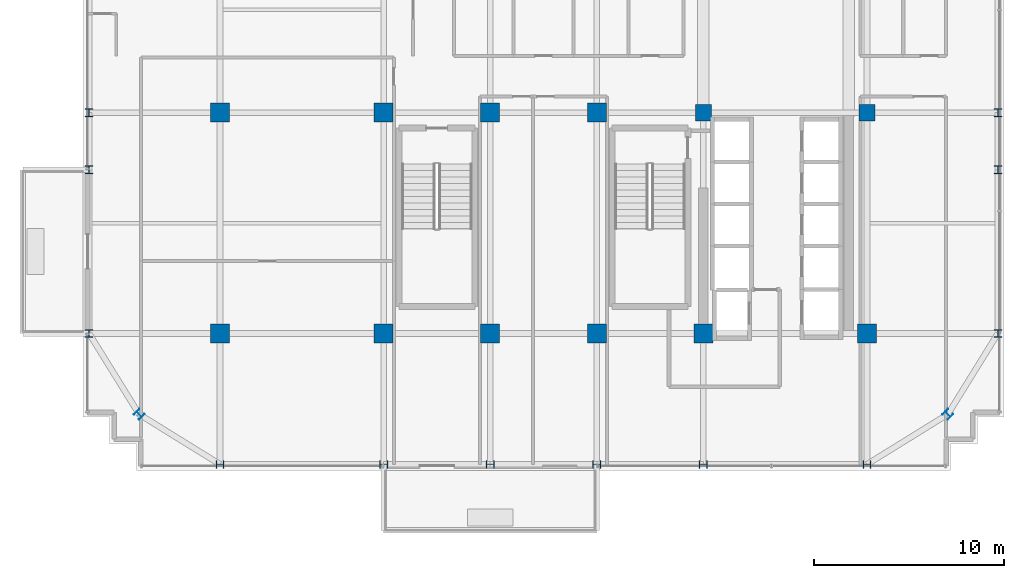
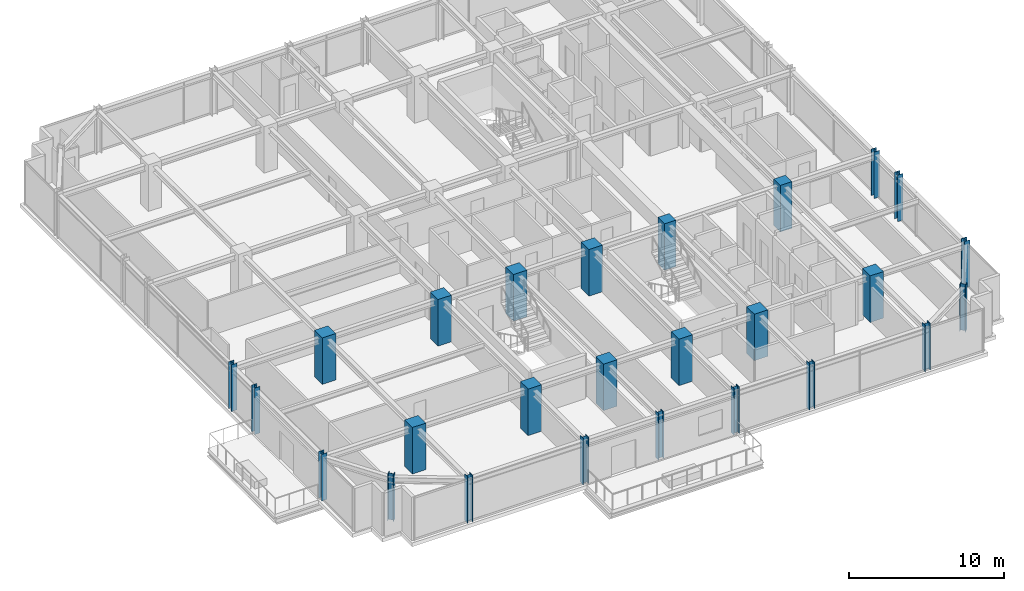
# One storey, part 1 of 32: 26 columns.
"""IFC4 building model written with IfcOpenShell, lengths in metres."""

import ifcopenshell
import ifcopenshell.guid

model = None  # the IFC model being written
_history = None  # IfcOwnerHistory: only IFC2X3 demands one
_inside = {}  # id of a spatial element -> (the spatial element, [elements in it])
_under = {}  # id of a project, library or spatial element -> (it, [spatial elements below it])
_declared = {}  # id of a project -> (the project, [libraries it declares])
_typed = {}  # id of a type object -> (the type object, [elements of that type])
_made_of = {}  # id of a material, layer set ... -> (it, [elements and type objects made of it])


def new_model(schema):
    """Start an empty IFC model of exactly this schema.

    Asked for "IFC4X3", IfcOpenShell would pick the latest addendum, in which some entities
    have other attributes; the version numbers below select the first issue.
    IFC2X3 requires an IfcOwnerHistory on every rooted entity: one is made here for all.
    """
    global model, _history
    if schema == "IFC4X3":
        model = ifcopenshell.file(schema_version=(4, 3, 0, 0))
    else:
        model = ifcopenshell.file(schema=schema)
    _inside.clear()
    _under.clear()
    _declared.clear()
    _typed.clear()
    _made_of.clear()
    _history = None
    if model.schema == "IFC2X3":
        org = make("IfcOrganization", Name="unknown")
        user = make(
            "IfcPersonAndOrganization",
            ThePerson=make("IfcPerson", FamilyName="unknown"),
            TheOrganization=org,
        )
        app = make(
            "IfcApplication",
            ApplicationDeveloper=org,
            Version="unknown",
            ApplicationFullName="unknown",
            ApplicationIdentifier="unknown",
        )
        _history = make(
            "IfcOwnerHistory",
            OwningUser=user,
            OwningApplication=app,
            ChangeAction="ADDED",
            CreationDate=0,
        )
    return model


def make(cls, **values):
    """One entity of the class cls with the attributes given. An attribute that is None is left unset."""
    return model.create_entity(
        cls, **{name: value for name, value in values.items() if value is not None}
    )


def rooted(cls, **values):
    """An entity with a GlobalId (a new one), such as an element, a storey or a relation."""
    return make(cls, GlobalId=ifcopenshell.guid.new(), OwnerHistory=_history, **values)


def si_unit(unit_type, name, prefix=None):
    """IfcSIUnit, for example si_unit("LENGTHUNIT", "METRE", prefix="MILLI")."""
    return make("IfcSIUnit", UnitType=unit_type, Prefix=prefix, Name=name)


def assignment(units):
    """IfcUnitAssignment: the units of a project."""
    return None if units is None else make("IfcUnitAssignment", Units=units)


def point(xyz):
    """IfcCartesianPoint."""
    return None if xyz is None else make("IfcCartesianPoint", Coordinates=xyz)


def direction(xyz):
    """IfcDirection."""
    return None if xyz is None else make("IfcDirection", DirectionRatios=xyz)


def frame(location, z_axis=None, x_axis=None):
    """IfcAxis2Placement3D, a coordinate frame: its origin and axes. An axis left out is left unset."""
    return make(
        "IfcAxis2Placement3D",
        Location=point(location),
        Axis=direction(z_axis),
        RefDirection=direction(x_axis),
    )


def frame_2d(location, x_axis=None):
    """IfcAxis2Placement2D, a coordinate frame in the plane: its origin and x axis."""
    return make(
        "IfcAxis2Placement2D", Location=point(location), RefDirection=direction(x_axis)
    )


def origin():
    """The frame at (0, 0, 0) with its axes left unset."""
    return frame((0.0, 0.0, 0.0))


def origin_2d():
    """The frame at (0, 0) in the plane with its x axis left unset."""
    return frame_2d((0.0, 0.0))


def place(relative_to, where):
    """IfcLocalPlacement: puts the frame where relative to a parent placement (None: the world)."""
    return make(
        "IfcLocalPlacement", PlacementRelTo=relative_to, RelativePlacement=where
    )


def context(
    kind, dimensions, precision=None, world=None, true_north=None, identifier=None
):
    """IfcGeometricRepresentationContext, for example the 3D "Model" context."""
    return make(
        "IfcGeometricRepresentationContext",
        ContextIdentifier=identifier,
        ContextType=kind,
        CoordinateSpaceDimension=dimensions,
        Precision=precision,
        WorldCoordinateSystem=world,
        TrueNorth=true_north,
    )


def subcontext(parent, identifier, kind, view, scale=None):
    """IfcGeometricRepresentationSubContext, for example "Body" below "Model"."""
    return make(
        "IfcGeometricRepresentationSubContext",
        ContextIdentifier=identifier,
        ContextType=kind,
        ParentContext=parent,
        TargetScale=scale,
        TargetView=view,
    )


def project(units=None, contexts=None):
    """IfcProject with its units and contexts."""
    return rooted(
        "IfcProject",
        Name="project",
        RepresentationContexts=contexts,
        UnitsInContext=assignment(units),
    )


def spatial(cls, under=None, at=None, **own):
    """A site, building, storey or space (cls), placed at a placement, below another one or the project."""
    s = rooted(cls, ObjectPlacement=at, **own)
    if under is not None:
        _under.setdefault(under.id(), (under, []))[1].append(s)
    return s


def profile(cls, at=None, kind="AREA", **sizes):
    """A parametric profile (cls). Its sizes go by their IFC names, for example OverallWidth=200.0."""
    return make(cls, ProfileType=kind, Position=at, **sizes)


def rectangle(**sizes):
    """IfcRectangleProfileDef."""
    return profile("IfcRectangleProfileDef", **sizes)


def i_section(**sizes):
    """IfcIShapeProfileDef."""
    return profile("IfcIShapeProfileDef", **sizes)


def extrude(swept, where, along, depth):
    """IfcExtrudedAreaSolid: the profile swept, set in the frame where, extruded along a direction by depth."""
    return make(
        "IfcExtrudedAreaSolid",
        SweptArea=swept,
        Position=where,
        ExtrudedDirection=direction(along),
        Depth=depth,
    )


def shape(context_of_items, identifier, shape_type, items):
    """IfcShapeRepresentation: the items that make up one representation, for example the "Body"."""
    return make(
        "IfcShapeRepresentation",
        ContextOfItems=context_of_items,
        RepresentationIdentifier=identifier,
        RepresentationType=shape_type,
        Items=items,
    )


def source(mapping_origin, context_of_items, identifier, shape_type, items):
    """IfcRepresentationMap: a shape defined once, which mapped items show again and again."""
    return make(
        "IfcRepresentationMap",
        MappingOrigin=mapping_origin,
        MappedRepresentation=shape(context_of_items, identifier, shape_type, items),
    )


def transform(
    local_origin,
    x_axis=None,
    y_axis=None,
    z_axis=None,
    scale=None,
    scale2=None,
    scale3=None,
    uniform=True,
):
    """IfcCartesianTransformationOperator3D, or its non-uniform kind. x_axis, y_axis, z_axis: its Axis1, 2, 3."""
    if uniform:
        return make(
            "IfcCartesianTransformationOperator3D",
            Axis1=direction(x_axis),
            Axis2=direction(y_axis),
            LocalOrigin=point(local_origin),
            Scale=scale,
            Axis3=direction(z_axis),
        )
    return make(
        "IfcCartesianTransformationOperator3DnonUniform",
        Axis1=direction(x_axis),
        Axis2=direction(y_axis),
        LocalOrigin=point(local_origin),
        Scale=scale,
        Axis3=direction(z_axis),
        Scale2=scale2,
        Scale3=scale3,
    )


def mapped(mapping_source, mapping_target):
    """IfcMappedItem: shows the shape of a source again, moved by a transform."""
    return make(
        "IfcMappedItem", MappingSource=mapping_source, MappingTarget=mapping_target
    )


def material(Name=None, Category=None):
    """IfcMaterial."""
    return make("IfcMaterial", Name=Name, Category=Category)


def material_profile(
    of_material, cross_section, Name=None, Category=None, Priority=None
):
    """IfcMaterialProfile: a cross section and its material."""
    return make(
        "IfcMaterialProfile",
        Name=Name,
        Material=of_material,
        Profile=cross_section,
        Priority=Priority,
        Category=Category,
    )


def profile_set(profiles, Name=None, composite=None):
    """IfcMaterialProfileSet."""
    return make(
        "IfcMaterialProfileSet",
        Name=Name,
        MaterialProfiles=profiles,
        CompositeProfile=composite,
    )


def made_of(thing, what):
    """Note that an element or type object is made of a material, layer set ...; save() writes the relation."""
    if what is not None:
        _made_of.setdefault(what.id(), (what, []))[1].append(thing)
    return thing


def type_object(cls, material=None, **own):
    """A type object (cls), such as IfcWallType, which elements share."""
    return made_of(rooted(cls, **own), material)


def element(
    cls,
    number,
    at=None,
    inside=None,
    cuts=None,
    type_object=None,
    material=None,
    context=None,
    identifier="Body",
    shape_type=None,
    held_by="IfcProductDefinitionShape",
    body=None,
    shapes=None,
    **own,
):
    """One element of the class cls, such as IfcWall. Its Tag is "e" and its number.

    at: its placement. inside: the storey or other place that contains it. cuts: it is an
    opening in that element (IfcRelVoidsElement). A single representation is given by context,
    identifier, shape_type and body (its items); several are given by shapes. held_by: the class
    of the entity that holds the representations. save() writes the other relations.
    """
    e = rooted(cls, Tag="e%d" % number, ObjectPlacement=at, **own)
    if body is not None:
        shapes = [shape(context, identifier, shape_type, body)]
    if shapes is not None:
        e.Representation = make(held_by, Representations=shapes)
    if inside is not None:
        _inside.setdefault(inside.id(), (inside, []))[1].append(e)
    if cuts is not None:
        rooted(
            "IfcRelVoidsElement", RelatingBuildingElement=cuts, RelatedOpeningElement=e
        )
    if type_object is not None:
        _typed.setdefault(type_object.id(), (type_object, []))[1].append(e)
    return made_of(e, material)


def aggregate(whole, parts):
    """IfcRelAggregates: a whole, such as a stair, and the parts it consists of."""
    return rooted("IfcRelAggregates", RelatingObject=whole, RelatedObjects=parts)


def save(model, path):
    """Write the relations noted so far, then the file.

    IfcRelAggregates (storeys below a building ...), IfcRelContainedInSpatialStructure (elements
    in a storey), IfcRelDefinesByType, IfcRelAssociatesMaterial and IfcRelDeclares: one each for
    every whole, place, type object, material and project.
    """
    for whole, parts in _under.values():
        aggregate(whole, parts)
    for where, things in _inside.values():
        rooted(
            "IfcRelContainedInSpatialStructure",
            RelatedElements=things,
            RelatingStructure=where,
        )
    for kind, things in _typed.values():
        rooted("IfcRelDefinesByType", RelatedObjects=things, RelatingType=kind)
    for what, things in _made_of.values():
        rooted("IfcRelAssociatesMaterial", RelatedObjects=things, RelatingMaterial=what)
    for by, libraries in _declared.values():
        rooted("IfcRelDeclares", RelatingContext=by, RelatedDefinitions=libraries)
    model.write(path)


model = new_model("IFC4")

# Units and contexts
model_context = context("Model", 3, precision=1e-05, world=origin(), true_north=direction((0.0, 1.0)))
body_context = subcontext(model_context, "Body", "Model", "MODEL_VIEW")
ifc_project = project(units=[si_unit("LENGTHUNIT", "METRE"), si_unit("AREAUNIT", "SQUARE_METRE"), si_unit("VOLUMEUNIT", "CUBIC_METRE"), si_unit("PLANEANGLEUNIT", "RADIAN"), si_unit("MASSUNIT", "GRAM", prefix="KILO")], contexts=[model_context])

# Site, building, storey
site_placement = place(None, origin())
site = spatial("IfcSite", under=ifc_project, at=site_placement, CompositionType="ELEMENT")
building_placement = place(site_placement, origin())
building = spatial("IfcBuilding", under=site, at=building_placement, Name="Nahalor Promenade Grand Hotel", CompositionType="ELEMENT")
storey_placement = place(building_placement, frame((0.0, 0.0, 230.800048828125)))
storey = spatial("IfcBuildingStorey", under=building, at=storey_placement, Name="L59", CompositionType="ELEMENT", Elevation=230.800048828125)

# Columns
ifc_material_1 = material(Name="Concrete B-60 (C50/60)", Category="concrete")
ifc_material_profile_1 = material_profile(ifc_material_1, rectangle(XDim=1.0, YDim=1.0, at=origin_2d()), Name="RC 1000x1000")
ifc_profile_set_1 = profile_set([ifc_material_profile_1], Name="Concrete B-60 (C50/60)")
column_type_1 = type_object("IfcColumnType", Name="Col-RC-1000", PredefinedType="COLUMN", material=ifc_profile_set_1)
shared_shape_1 = source(origin(), body_context, "Body", "SweptSolid", [
    extrude(rectangle(XDim=1.0, YDim=1.0, at=origin_2d()), origin(), (0.0, 0.0, 1.0), 3.655029296875),
])
for number, where, z_axis, x_axis, name in (
    (1, (-17.0, -17.0, 0.0), (0.0, 0.0, 1.0), (1.0, 0.0, 0.0), "COL-L59-I00"),
    (2, (-17.0, -5.39990234375, 0.0), (0.0, 0.0, 1.0), (1.0, 0.0, 0.0), "COL-L59-I01"),
    (3, (-8.39990234375, -17.0, 0.0), (0.0, 0.0, 1.0), (1.0, 0.0, 0.0), "COL-L59-I10"),
    (4, (-8.39990234375, -5.39990234375, 0.0), (0.0, 0.0, 1.0), (1.0, 0.0, 0.0), "COL-L59-I11"),
    (5, (-2.800048828125, -17.0, 0.0), (0.0, 0.0, 1.0), (1.0, 0.0, 0.0), "COL-L59-I20"),
    (6, (-2.800048828125, -5.39990234375, 0.0), (0.0, 0.0, 1.0), (1.0, 0.0, 0.0), "COL-L59-I21"),
    (7, (2.800048828125, -17.0, 0.0), (0.0, 0.0, 1.0), (1.0, 0.0, 0.0), "COL-L59-I30"),
    (8, (2.800048828125, -5.39990234375, 0.0), (0.0, 0.0, 1.0), (1.0, 0.0, 0.0), "COL-L59-I31"),
    (9, (8.39990234375, -17.0, 0.0), (0.0, 0.0, 1.0), (1.0, 0.0, 0.0), "COL-L59-I40"),
    (10, (17.0, -17.0, 0.0), (0.0, 0.0, 1.0), (1.0, 0.0, 0.0), "COL-L59-I50"),
):
    element("IfcColumn", number, at=place(storey_placement, frame(where, z_axis=z_axis, x_axis=x_axis)), inside=storey, type_object=column_type_1, Name=name, PredefinedType="COLUMN", context=body_context, shape_type="MappedRepresentation", body=[
        mapped(shared_shape_1, transform((0.0, 0.0, 0.0), scale=1.0)),
    ])
ifc_material_2 = material(Name="Concrete B-70 (C60/75)", Category="concrete")
ifc_material_profile_2 = material_profile(ifc_material_2, rectangle(XDim=0.85, YDim=0.85, at=origin_2d()), Name="RC 850x850")
ifc_profile_set_2 = profile_set([ifc_material_profile_2], Name="Concrete B-70 (C60/75)")
column_type_2 = type_object("IfcColumnType", Name="Col-Pilaster-850", PredefinedType="PILASTER", material=ifc_profile_set_2)
shared_shape_2 = source(origin(), body_context, "Body", "SweptSolid", [
    extrude(rectangle(XDim=0.85, YDim=0.85, at=origin_2d()), origin(), (0.0, 0.0, 1.0), 3.655029296875),
])
for number, where, z_axis, x_axis, name in (
    (11, (8.39990234375, -5.39990234375, 0.0), (0.0, 0.0, 1.0), (1.0, 0.0, 0.0), "COL-L59-I41"),
    (12, (17.0, -5.39990234375, 0.0), (0.0, 0.0, 1.0), (1.0, 0.0, 0.0), "COL-L59-I51"),
):
    element("IfcColumn", number, at=place(storey_placement, frame(where, z_axis=z_axis, x_axis=x_axis)), inside=storey, type_object=column_type_2, Name=name, PredefinedType="PILASTER", context=body_context, shape_type="MappedRepresentation", body=[
        mapped(shared_shape_2, transform((0.0, 0.0, 0.0), scale=1.0)),
    ])
ifc_material_3 = material(Name="Steel S355JR", Category="steel")
ifc_material_profile_3 = material_profile(ifc_material_3, i_section(OverallWidth=0.401, OverallDepth=0.406, WebThickness=0.0161, FlangeThickness=0.025, at=origin_2d()), Name="HD 400x314")
ifc_profile_set_3 = profile_set([ifc_material_profile_3], Name="Steel S355JR")
column_type_3 = type_object("IfcColumnType", Name="Col-Steel-HD314", PredefinedType="COLUMN", material=ifc_profile_set_3)
shared_shape_3 = source(origin(), body_context, "Body", "SweptSolid", [
    extrude(i_section(OverallWidth=0.401, OverallDepth=0.406, WebThickness=0.0161, FlangeThickness=0.025, at=origin_2d()), origin(), (0.0, 0.0, 1.0), 3.655029296875),
])
for number, where, z_axis, x_axis, name in (
    (13, (-23.8798828125, -17.0, 0.0), (0.0, 0.0, 1.0), (1.0, 0.0, 0.0), "COL-L59-PW-W0"),
    (14, (23.8798828125, -17.0, 0.0), (0.0, 0.0, 1.0), (1.0, 0.0, 0.0), "COL-L59-PW-E0"),
    (15, (-23.8798828125, -8.39990234375, 0.0), (0.0, 0.0, 1.0), (1.0, 0.0, 0.0), "COL-L59-PW-W1"),
    (16, (23.8798828125, -8.39990234375, 0.0), (0.0, 0.0, 1.0), (1.0, 0.0, 0.0), "COL-L59-PW-E1"),
    (17, (-23.8798828125, -5.39990234375, 0.0), (0.0, 0.0, 1.0), (1.0, 0.0, 0.0), "COL-L59-PW-W2"),
    (18, (23.8798828125, -5.39990234375, 0.0), (0.0, 0.0, 1.0), (1.0, 0.0, 0.0), "COL-L59-PW-E2"),
    (19, (-17.0, -23.8798828125, 0.0), (0.0, 0.0, 1.0), (0.0, 1.0, 0.0), "COL-L59-PN-S0"),
    (20, (-8.39990234375, -23.8798828125, 0.0), (0.0, 0.0, 1.0), (0.0, 1.0, 0.0), "COL-L59-PN-S1"),
    (21, (-2.800048828125, -23.8798828125, 0.0), (0.0, 0.0, 1.0), (0.0, 1.0, 0.0), "COL-L59-PN-S2"),
    (22, (2.800048828125, -23.8798828125, 0.0), (0.0, 0.0, 1.0), (0.0, 1.0, 0.0), "COL-L59-PN-S3"),
    (23, (8.39990234375, -23.8798828125, 0.0), (0.0, 0.0, 1.0), (0.0, 1.0, 0.0), "COL-L59-PN-S4"),
    (24, (17.0, -23.8798828125, 0.0), (0.0, 0.0, 1.0), (0.0, 1.0, 0.0), "COL-L59-PN-S5"),
    (25, (-21.25, -21.25, 0.0), (0.0, 0.0, 1.0), (0.707106781187, 0.707106781187, 0.0), "COL-L59-CRN-SW"),
    (26, (21.25, -21.25, 0.0), (0.0, 0.0, 1.0), (0.707106781187, 0.707106781187, 0.0), "COL-L59-CRN-SE"),
):
    element("IfcColumn", number, at=place(storey_placement, frame(where, z_axis=z_axis, x_axis=x_axis)), inside=storey, type_object=column_type_3, Name=name, PredefinedType="COLUMN", context=body_context, shape_type="MappedRepresentation", body=[
        mapped(shared_shape_3, transform((0.0, 0.0, 0.0), scale=1.0)),
    ])

save(model, "model.ifc")
